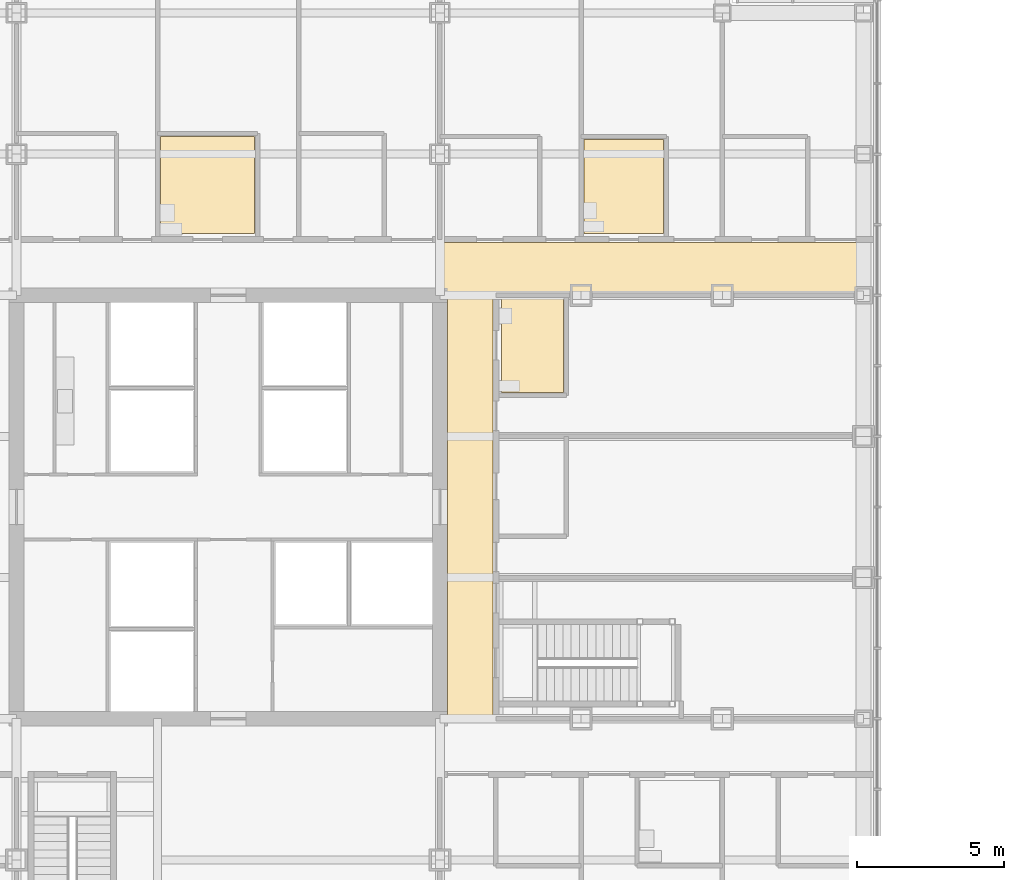
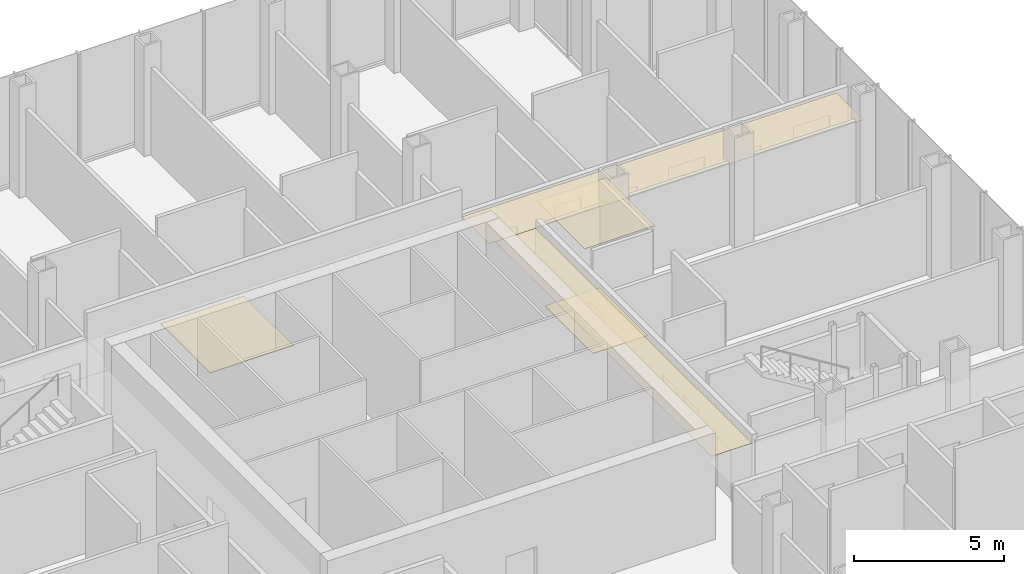
# One storey, part 26 of 28: 5 coverings.
"""IFC4 building model written with IfcOpenShell, lengths in metres."""

from ifc_helpers import new_model, si_unit, direction, frame, origin, place, context, subcontext, project, spatial, polyline, outline, extrude, material, layer, layer_set, type_object, element, save


model = new_model("IFC4")

# Units and contexts
model_context = context("Model", 3, precision=1e-05, world=origin(), true_north=direction((0.0, 1.0)))
body_context = subcontext(model_context, "Body", "Model", "MODEL_VIEW")
ifc_project = project(units=[si_unit("LENGTHUNIT", "METRE"), si_unit("AREAUNIT", "SQUARE_METRE"), si_unit("VOLUMEUNIT", "CUBIC_METRE"), si_unit("PLANEANGLEUNIT", "RADIAN"), si_unit("MASSUNIT", "GRAM", prefix="KILO")], contexts=[model_context])

# Site, building, storey
site_placement = place(None, origin())
site = spatial("IfcSite", under=ifc_project, at=site_placement, CompositionType="ELEMENT")
building_placement = place(site_placement, origin())
building = spatial("IfcBuilding", under=site, at=building_placement, Name="Kvirike Care Tower", CompositionType="ELEMENT")
storey_placement = place(building_placement, frame((0.0, 0.0, 4.5)))
storey = spatial("IfcBuildingStorey", under=building, at=storey_placement, Name="L01", CompositionType="ELEMENT", Elevation=4.5)

# Coverings
ifc_material_1 = material(Name="Perforated metal ceiling tile", Category="aluminium")
ifc_layer_1 = layer(ifc_material_1, 0.014892578125)
ifc_layer_set_1 = layer_set([ifc_layer_1], Name="CORRIDOR CEILING 15")
covering_type_1 = type_object("IfcCoveringType", Name="CORRIDOR CEILING 15", PredefinedType="CEILING", material=ifc_layer_set_1)
covering_1_placement = place(storey_placement, frame((0.0, 0.0, 3.199951171875)))
element("IfcCovering", 1, at=covering_1_placement, inside=storey, type_object=covering_type_1, Name="Corridor ceiling L01", PredefinedType="CEILING", context=body_context, shape_type="SweptSolid", body=[
    extrude(outline(polyline([(30.60009765625, 28.800048828125), (29.050048828125, 28.800048828125), (29.050048828125, 43.199951171875), (30.60009765625, 43.199951171875), (30.60009765625, 28.800048828125)])), origin(), (0.0, 0.0, 1.0), 0.01513671875),
])
covering_2_placement = place(storey_placement, frame((0.0, 0.0, 3.199951171875)))
element("IfcCovering", 2, at=covering_2_placement, inside=storey, type_object=covering_type_1, Name="Corridor ceiling L01", PredefinedType="CEILING", context=body_context, shape_type="SweptSolid", body=[
    extrude(outline(polyline([(43.199951171875, 45.0), (43.199951171875, 43.199951171875), (28.800048828125, 43.199951171875), (28.800048828125, 45.0), (43.199951171875, 45.0)])), origin(), (0.0, 0.0, 1.0), 0.01513671875),
])
ifc_material_2 = material(Name="Slip-resistant vinyl safety flooring on screed")
ifc_layer_2 = layer(ifc_material_2, 0.02001953125)
ifc_layer_set_2 = layer_set([ifc_layer_2], Name="WET ROOM FLOOR 20")
covering_type_2 = type_object("IfcCoveringType", Name="WET ROOM FLOOR 20", PredefinedType="FLOORING", material=ifc_layer_set_2)
covering_3_placement = place(storey_placement, origin())
element("IfcCovering", 3, at=covering_3_placement, inside=storey, type_object=covering_type_2, Name="Accessible WC floor L01-029", PredefinedType="FLOORING", context=body_context, shape_type="SweptSolid", body=[
    extrude(outline(polyline([(22.5, 45.300048828125), (19.300048828125, 45.300048828125), (19.300048828125, 48.60009765625), (22.5, 48.60009765625), (22.5, 45.300048828125)])), origin(), (0.0, 0.0, 1.0), 0.02001953125),
])
covering_4_placement = place(storey_placement, origin())
element("IfcCovering", 4, at=covering_4_placement, inside=storey, type_object=covering_type_2, Name="Staff WC floor L01-044", PredefinedType="FLOORING", context=body_context, shape_type="SweptSolid", body=[
    extrude(outline(polyline([(30.89990234375, 39.89990234375), (30.89990234375, 43.10009765625), (33.0, 43.10009765625), (33.0, 39.89990234375), (30.89990234375, 39.89990234375)])), origin(), (0.0, 0.0, 1.0), 0.02001953125),
])
covering_5_placement = place(storey_placement, origin())
element("IfcCovering", 5, at=covering_5_placement, inside=storey, type_object=covering_type_2, Name="Staff WC floor L01-050", PredefinedType="FLOORING", context=body_context, shape_type="SweptSolid", body=[
    extrude(outline(polyline([(36.39990234375, 45.300048828125), (33.699951171875, 45.300048828125), (33.699951171875, 48.5), (36.39990234375, 48.5), (36.39990234375, 45.300048828125)])), origin(), (0.0, 0.0, 1.0), 0.02001953125),
])

save(model, "model.ifc")
